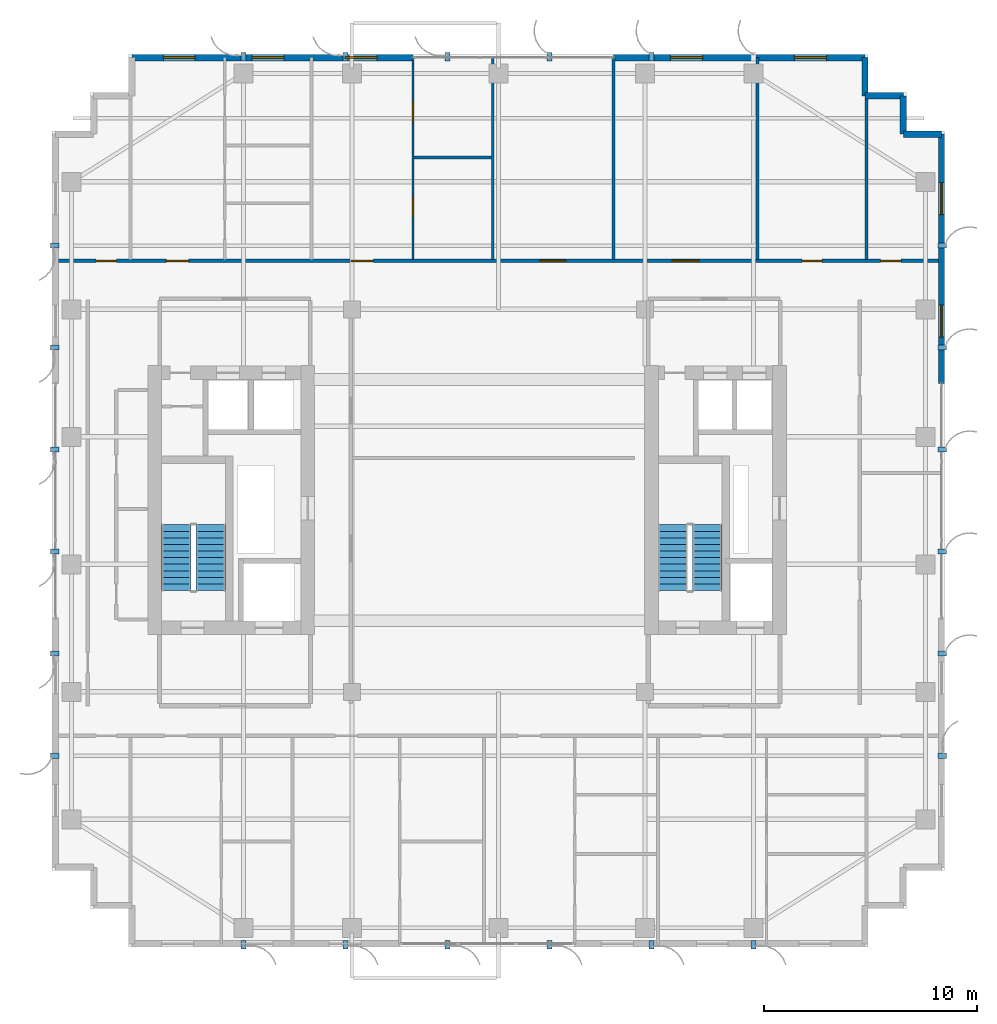
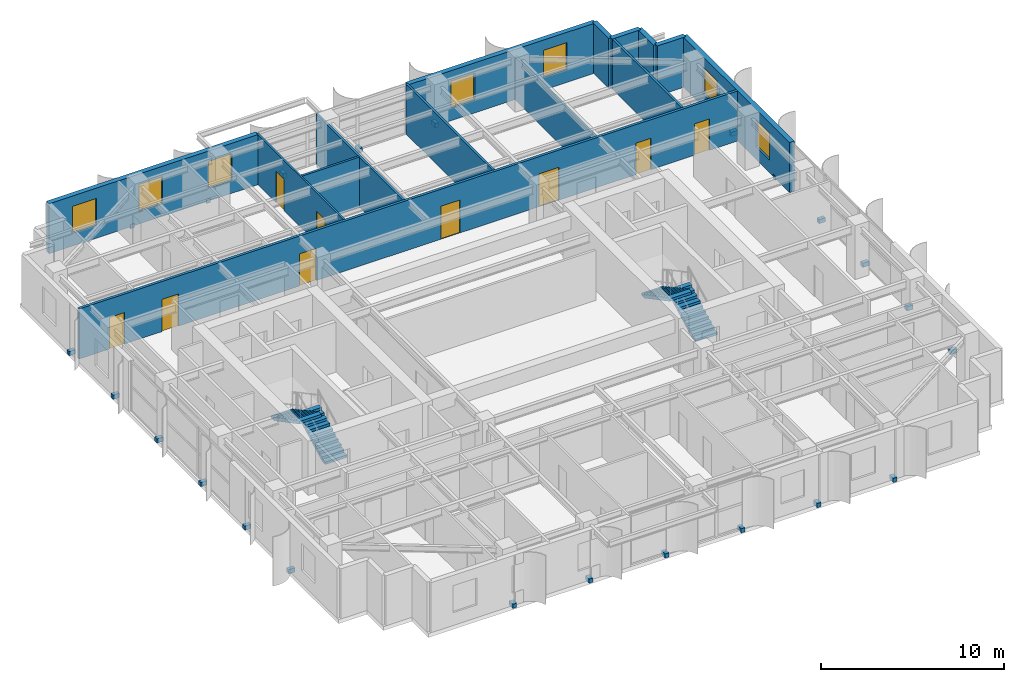
# One storey, part 17 of 21: 23 discrete accessories, 14 walls, 9 doors, 7 windows, 4 stair flights, 16 openings, 2 elements without a shape of their own.
"""IFC4 building model written with IfcOpenShell, lengths in metres."""

from ifc_helpers import new_model, si_unit, direction, frame, frame_2d, origin, origin_2d, place, context, subcontext, project, spatial, polyline, rectangle, outline, extrude, source, transform, mapped, material, layer, layer_set, type_object, element, fill, aggregate, save


model = new_model("IFC4")

# Units and contexts
model_context = context("Model", 3, precision=1e-05, world=origin(), true_north=direction((0.0, 1.0)))
body_context = subcontext(model_context, "Body", "Model", "MODEL_VIEW")
ifc_project = project(units=[si_unit("LENGTHUNIT", "METRE"), si_unit("AREAUNIT", "SQUARE_METRE"), si_unit("VOLUMEUNIT", "CUBIC_METRE"), si_unit("PLANEANGLEUNIT", "RADIAN"), si_unit("MASSUNIT", "GRAM", prefix="KILO")], contexts=[model_context])

# Site, building, storey
site_placement = place(None, origin())
site = spatial("IfcSite", under=ifc_project, at=site_placement, CompositionType="ELEMENT")
building_placement = place(site_placement, origin())
building = spatial("IfcBuilding", under=site, at=building_placement, Name="Khoralis Quay Care Tower", CompositionType="ELEMENT")
storey_placement = place(building_placement, frame((0.0, 0.0, 159.300048828125)))
storey = spatial("IfcBuildingStorey", under=building, at=storey_placement, Name="L41", CompositionType="ELEMENT", Elevation=159.300048828125)

# Wall, openings, doors
ifc_material_1 = material(Name="Gypsum plasterboard on acoustic metal stud")
ifc_layer_1 = layer(ifc_material_1, 0.1650390625)
ifc_layer_set_1 = layer_set([ifc_layer_1], Name="Gypsum plasterboard on acoustic metal stud")
wall_type_1 = type_object("IfcWallType", Name="WL-CORR-165", PredefinedType="PARTITIONING", material=ifc_layer_set_1)
wall_1_placement = place(storey_placement, frame((3.14501953125, 32.280029296875, 0.0), z_axis=(0.0, 0.0, 1.0), x_axis=(1.0, 0.0, 0.0)))
wall_1 = element("IfcWall", 1, at=wall_1_placement, inside=storey, type_object=wall_type_1, Name="L41 North Main Corridor Wall", PredefinedType="PARTITIONING", context=body_context, shape_type="SweptSolid", body=[
    extrude(rectangle(XDim=41.7099609375, YDim=0.1650390625, at=frame_2d((20.85498046875, 0.0))), origin(), (0.0, 0.0, 1.0), 3.33984375),
])
opening_1_placement = place(wall_1_placement, frame((5.22509765625, 0.0, 0.0)))
opening_1 = element("IfcOpeningElement", 2, at=opening_1_placement, cuts=wall_1, Name="Opening UD1", PredefinedType="OPENING", context=body_context, shape_type="SweptSolid", body=[
    extrude(rectangle(XDim=1.050048828125, YDim=2.14990234375, at=frame_2d((0.52490234375, 1.074951171875))), frame((0.0, 0.092529296875, 0.0), z_axis=(0.0, -1.0, 0.0), x_axis=(1.0, 0.0, 0.0)), (0.0, 0.0, 1.0), 0.18505859375),
])
opening_2_placement = place(wall_1_placement, frame((13.91845703125, 0.0, 0.0)))
opening_2 = element("IfcOpeningElement", 3, at=opening_2_placement, cuts=wall_1, Name="Opening UD1", PredefinedType="OPENING", context=body_context, shape_type="SweptSolid", body=[
    extrude(rectangle(XDim=1.050048828125, YDim=2.14990234375, at=frame_2d((0.52490234375, 1.074951171875))), frame((0.0, 0.092529296875, 0.0), z_axis=(0.0, -1.0, 0.0), x_axis=(1.0, 0.0, 0.0)), (0.0, 0.0, 1.0), 0.18505859375),
])
opening_3_placement = place(wall_1_placement, frame((22.824951171875, 0.0, 0.0)))
opening_3 = element("IfcOpeningElement", 4, at=opening_3_placement, cuts=wall_1, Name="Opening FD1", PredefinedType="OPENING", context=body_context, shape_type="SweptSolid", body=[
    extrude(rectangle(XDim=1.199951171875, YDim=2.199951171875, at=frame_2d((0.60009765625, 1.10009765625))), frame((0.0, 0.092529296875, 0.0), z_axis=(0.0, -1.0, 0.0), x_axis=(1.0, 0.0, 0.0)), (0.0, 0.0, 1.0), 0.18505859375),
])
opening_4_placement = place(wall_1_placement, frame((29.034912109375, 0.0, 0.0)))
opening_4 = element("IfcOpeningElement", 5, at=opening_4_placement, cuts=wall_1, Name="Opening CD1", PredefinedType="OPENING", context=body_context, shape_type="SweptSolid", body=[
    extrude(rectangle(XDim=1.25, YDim=2.199951171875, at=frame_2d((0.625, 1.10009765625))), frame((0.0, 0.092529296875, 0.0), z_axis=(0.0, -1.0, 0.0), x_axis=(1.0, 0.0, 0.0)), (0.0, 0.0, 1.0), 0.18505859375),
])
opening_5_placement = place(wall_1_placement, frame((35.139892578125, 0.0, 0.0)))
opening_5 = element("IfcOpeningElement", 6, at=opening_5_placement, cuts=wall_1, Name="Opening ID1", PredefinedType="OPENING", context=body_context, shape_type="SweptSolid", body=[
    extrude(rectangle(XDim=0.949951171875, YDim=2.10009765625, at=frame_2d((0.47509765625, 1.050048828125))), frame((0.0, 0.092529296875, 0.0), z_axis=(0.0, -1.0, 0.0), x_axis=(1.0, 0.0, 0.0)), (0.0, 0.0, 1.0), 0.18505859375),
])
opening_6_placement = place(wall_1_placement, frame((1.919921875, 0.0, 0.0)))
opening_6 = element("IfcOpeningElement", 7, at=opening_6_placement, cuts=wall_1, Name="Opening ID1", PredefinedType="OPENING", context=body_context, shape_type="SweptSolid", body=[
    extrude(rectangle(XDim=0.949951171875, YDim=2.10009765625, at=frame_2d((0.47509765625, 1.050048828125))), frame((0.0, 0.092529296875, 0.0), z_axis=(0.0, -1.0, 0.0), x_axis=(1.0, 0.0, 0.0)), (0.0, 0.0, 1.0), 0.18505859375),
])
opening_7_placement = place(wall_1_placement, frame((38.840087890625, 0.0, 0.0)))
opening_7 = element("IfcOpeningElement", 8, at=opening_7_placement, cuts=wall_1, Name="Opening ID1", PredefinedType="OPENING", context=body_context, shape_type="SweptSolid", body=[
    extrude(rectangle(XDim=0.949951171875, YDim=2.10009765625, at=frame_2d((0.47509765625, 1.050048828125))), frame((0.0, 0.092529296875, 0.0), z_axis=(0.0, -1.0, 0.0), x_axis=(1.0, 0.0, 0.0)), (0.0, 0.0, 1.0), 0.18505859375),
])
ifc_material_2 = material(Name="Fire-rated painted steel", Category="steel")
door_type_1 = type_object("IfcDoorType", Name="DR-FFL-1200X2200", OperationType="NOTDEFINED", PredefinedType="DOOR", material=ifc_material_2)
shared_shape_1 = source(origin(), body_context, "Body", "SweptSolid", [
    extrude(rectangle(XDim=1.199951171875, YDim=2.199951171875, at=frame_2d((0.60009765625, 1.10009765625))), frame((0.0, 0.02490234375, 0.0), z_axis=(0.0, -1.0, 0.0), x_axis=(1.0, 0.0, 0.0)), (0.0, 0.0, 1.0), 0.050048828125),
])
door_1_placement = place(opening_3_placement, origin())
door_1 = element("IfcDoor", 9, at=door_1_placement, inside=storey, type_object=door_type_1, Name="L41 Assisted Communal Dining Room Door", OperationType="DOUBLE_DOOR_SINGLE_SWING", OverallHeight=2.199951171875, OverallWidth=1.199951171875, PredefinedType="DOOR", context=body_context, shape_type="MappedRepresentation", body=[
    mapped(shared_shape_1, transform((0.0, 0.0, 0.0), scale=1.0)),
])
fill(opening_3, door_1)
ifc_material_3 = material(Name="Acoustic hardwood timber", Category="wood")
door_type_2 = type_object("IfcDoorType", Name="DR-CARE-1250X2200", OperationType="NOTDEFINED", PredefinedType="DOOR", material=ifc_material_3)
shared_shape_2 = source(origin(), body_context, "Body", "SweptSolid", [
    extrude(rectangle(XDim=1.25, YDim=2.199951171875, at=frame_2d((0.625, 1.10009765625))), frame((0.0, 0.02490234375, 0.0), z_axis=(0.0, -1.0, 0.0), x_axis=(1.0, 0.0, 0.0)), (0.0, 0.0, 1.0), 0.050048828125),
])
door_2_placement = place(opening_4_placement, origin())
door_2 = element("IfcDoor", 10, at=door_2_placement, inside=storey, type_object=door_type_2, Name="L41 Geriatric Consultation Clinic Door", OperationType="SINGLE_SWING_RIGHT", OverallHeight=2.199951171875, OverallWidth=1.25, PredefinedType="DOOR", context=body_context, shape_type="MappedRepresentation", body=[
    mapped(shared_shape_2, transform((0.0, 0.0, 0.0), scale=1.0)),
])
fill(opening_4, door_2)
door_type_3 = type_object("IfcDoorType", Name="DR-ROOM-950X2100", OperationType="NOTDEFINED", PredefinedType="DOOR", material=ifc_material_3)
shared_shape_3 = source(origin(), body_context, "Body", "SweptSolid", [
    extrude(rectangle(XDim=0.949951171875, YDim=2.10009765625, at=frame_2d((0.47509765625, 1.050048828125))), frame((0.0, 0.02490234375, 0.0), z_axis=(0.0, -1.0, 0.0), x_axis=(1.0, 0.0, 0.0)), (0.0, 0.0, 1.0), 0.050048828125),
])
door_3_placement = place(opening_5_placement, origin())
door_3 = element("IfcDoor", 11, at=door_3_placement, inside=storey, type_object=door_type_3, Name="L41 Care Coordination Office Door", OperationType="SINGLE_SWING_RIGHT", OverallHeight=2.10009765625, OverallWidth=0.949951171875, PredefinedType="DOOR", context=body_context, shape_type="MappedRepresentation", body=[
    mapped(shared_shape_3, transform((0.0, 0.0, 0.0), scale=1.0)),
])
fill(opening_5, door_3)
door_4_placement = place(opening_6_placement, origin())
door_4 = element("IfcDoor", 12, at=door_4_placement, inside=storey, type_object=door_type_3, Name="L41 NW Corner Door", OperationType="SINGLE_SWING_RIGHT", OverallHeight=2.10009765625, OverallWidth=0.949951171875, PredefinedType="DOOR", context=body_context, shape_type="MappedRepresentation", body=[
    mapped(shared_shape_3, transform((0.0, 0.0, 0.0), scale=1.0)),
])
fill(opening_6, door_4)
door_5_placement = place(opening_7_placement, origin())
door_5 = element("IfcDoor", 13, at=door_5_placement, inside=storey, type_object=door_type_3, Name="L41 NE Corner Door", OperationType="SINGLE_SWING_LEFT", OverallHeight=2.10009765625, OverallWidth=0.949951171875, PredefinedType="DOOR", context=body_context, shape_type="MappedRepresentation", body=[
    mapped(shared_shape_3, transform((0.0, 0.0, 0.0), scale=1.0)),
])
fill(opening_7, door_5)
door_type_4 = type_object("IfcDoorType", Name="DR-SUITE-1050X2150", OperationType="NOTDEFINED", PredefinedType="DOOR", material=ifc_material_3)
shared_shape_4 = source(origin(), body_context, "Body", "SweptSolid", [
    extrude(rectangle(XDim=1.050048828125, YDim=2.14990234375, at=frame_2d((0.52490234375, 1.074951171875))), frame((0.0, 0.02490234375, 0.0), z_axis=(0.0, -1.0, 0.0), x_axis=(1.0, 0.0, 0.0)), (0.0, 0.0, 1.0), 0.050048828125),
])
door_6_placement = place(opening_1_placement, origin())
door_6 = element("IfcDoor", 14, at=door_6_placement, inside=storey, type_object=door_type_4, Name="L41 Apartment NB0 Entrance Door", OperationType="SINGLE_SWING_LEFT", OverallHeight=2.14990234375, OverallWidth=1.050048828125, PredefinedType="DOOR", context=body_context, shape_type="MappedRepresentation", body=[
    mapped(shared_shape_4, transform((0.0, 0.0, 0.0), scale=1.0)),
])
fill(opening_1, door_6)
door_7_placement = place(opening_2_placement, origin())
door_7 = element("IfcDoor", 15, at=door_7_placement, inside=storey, type_object=door_type_4, Name="L41 Studio NB1 Entrance", OperationType="SINGLE_SWING_RIGHT", OverallHeight=2.14990234375, OverallWidth=1.050048828125, PredefinedType="DOOR", context=body_context, shape_type="MappedRepresentation", body=[
    mapped(shared_shape_4, transform((0.0, 0.0, 0.0), scale=1.0)),
])
fill(opening_2, door_7)

# Wall, openings, windows
ifc_material_4 = material(Name="Precast concrete C45/55", Category="concrete")
ifc_layer_2 = layer(ifc_material_4, 0.300048828125)
ifc_layer_set_2 = layer_set([ifc_layer_2], Name="Precast concrete C45/55")
wall_type_2 = type_object("IfcWallType", Name="WL-EXT-REF-300", PredefinedType="SOLIDWALL", material=ifc_layer_set_2)
wall_2_placement = place(storey_placement, frame((44.85009765625, 26.52001953125, 0.0), z_axis=(0.0, 0.0, 1.0), x_axis=(0.0, 1.0, 0.0)))
wall_2 = element("IfcWall", 16, at=wall_2_placement, inside=storey, type_object=wall_type_2, Name="L41 External Facade Wall WL-EXT-L41-P1-E5B", PredefinedType="SOLIDWALL", context=body_context, shape_type="SweptSolid", body=[
    extrude(rectangle(XDim=11.72998046875, YDim=0.300048828125, at=frame_2d((5.864990234375, 0.0))), origin(), (0.0, 0.0, 1.0), 3.33984375),
])
opening_8_placement = place(wall_2_placement, frame((2.179931640625, 0.0, 0.85009765625)))
opening_8 = element("IfcOpeningElement", 17, at=opening_8_placement, cuts=wall_2, Name="Opening W3", PredefinedType="OPENING", context=body_context, shape_type="SweptSolid", body=[
    extrude(rectangle(XDim=1.5, YDim=1.800048828125, at=frame_2d((0.75, 0.89990234375))), frame((0.0, 0.16015625, 0.0), z_axis=(0.0, -1.0, 0.0), x_axis=(1.0, 0.0, 0.0)), (0.0, 0.0, 1.0), 0.320068359375),
])
opening_9_placement = place(wall_2_placement, frame((7.945068359375, 0.0, 0.85009765625)))
opening_9 = element("IfcOpeningElement", 18, at=opening_9_placement, cuts=wall_2, Name="Opening W3", PredefinedType="OPENING", context=body_context, shape_type="SweptSolid", body=[
    extrude(rectangle(XDim=1.5, YDim=1.800048828125, at=frame_2d((0.75, 0.89990234375))), frame((0.0, 0.16015625, 0.0), z_axis=(0.0, -1.0, 0.0), x_axis=(1.0, 0.0, 0.0)), (0.0, 0.0, 1.0), 0.320068359375),
])
ifc_material_5 = material(Name="Low-E solar-control double glazing", Category="glass")
window_type = type_object("IfcWindowType", Name="WN-CLIN-1500X1800", PartitioningType="SINGLE_PANEL", PredefinedType="WINDOW", material=ifc_material_5)
shared_shape_5 = source(origin(), body_context, "Body", "SweptSolid", [
    extrude(rectangle(XDim=1.5, YDim=1.800048828125, at=frame_2d((0.75, 0.89990234375))), frame((0.0, 0.030029296875, 0.0), z_axis=(0.0, -1.0, 0.0), x_axis=(1.0, 0.0, 0.0)), (0.0, 0.0, 1.0), 0.06005859375),
])
window_1_placement = place(opening_8_placement, origin())
window_1 = element("IfcWindow", 19, at=window_1_placement, inside=storey, type_object=window_type, Name="WN-L41-P1-E5B Facade Window 01", OverallHeight=1.800048828125, OverallWidth=1.5, PartitioningType="SINGLE_PANEL", PredefinedType="WINDOW", context=body_context, shape_type="MappedRepresentation", body=[
    mapped(shared_shape_5, transform((0.0, 0.0, 0.0), scale=1.0)),
])
fill(opening_8, window_1)
window_2_placement = place(opening_9_placement, origin())
window_2 = element("IfcWindow", 20, at=window_2_placement, inside=storey, type_object=window_type, Name="WN-L41-P1-E5B Facade Window 02", OverallHeight=1.800048828125, OverallWidth=1.5, PartitioningType="SINGLE_PANEL", PredefinedType="WINDOW", context=body_context, shape_type="MappedRepresentation", body=[
    mapped(shared_shape_5, transform((0.0, 0.0, 0.0), scale=1.0)),
])
fill(opening_9, window_2)

# Walls
for number, where, z_axis, x_axis, name in (
    (21, (44.85009765625, 38.25, 0.0), (0.0, 0.0, 1.0), (-1.0, 0.0, 0.0), "L41 External Facade Wall WL-EXT-L41-P1-C6"),
    (22, (43.050048828125, 38.25, 0.0), (0.0, 0.0, 1.0), (0.0, 1.0, 0.0), "L41 External Facade Wall WL-EXT-L41-P1-C7"),
    (23, (43.050048828125, 40.050048828125, 0.0), (0.0, 0.0, 1.0), (-1.0, 0.0, 0.0), "L41 External Facade Wall WL-EXT-L41-P1-C8"),
    (24, (41.25, 40.050048828125, 0.0), (0.0, 0.0, 1.0), (0.0, 1.0, 0.0), "L41 External Facade Wall WL-EXT-L41-P1-C9"),
):
    element("IfcWall", number, at=place(storey_placement, frame(where, z_axis=z_axis, x_axis=x_axis)), inside=storey, type_object=wall_type_2, Name=name, PredefinedType="SOLIDWALL", context=body_context, shape_type="SweptSolid", body=[
        extrude(rectangle(XDim=1.800048828125, YDim=0.300048828125, at=frame_2d((0.89990234375, 0.0))), origin(), (0.0, 0.0, 1.0), 3.33984375),
    ])

# Wall, openings, windows
wall_3_placement = place(storey_placement, frame((41.25, 41.85009765625, 0.0), z_axis=(0.0, 0.0, 1.0), x_axis=(-1.0, 0.0, 0.0)))
wall_3 = element("IfcWall", 25, at=wall_3_placement, inside=storey, type_object=wall_type_2, Name="L41 External Facade Wall WL-EXT-L41-P1-E10A", PredefinedType="SOLIDWALL", context=body_context, shape_type="SweptSolid", body=[
    extrude(rectangle(XDim=11.840087890625, YDim=0.300048828125, at=frame_2d((5.919921875, 0.0))), origin(), (0.0, 0.0, 1.0), 3.33984375),
])
opening_10_placement = place(wall_3_placement, frame((1.824951171875, 0.0, 0.85009765625)))
opening_10 = element("IfcOpeningElement", 26, at=opening_10_placement, cuts=wall_3, Name="Opening W3", PredefinedType="OPENING", context=body_context, shape_type="SweptSolid", body=[
    extrude(rectangle(XDim=1.5, YDim=1.800048828125, at=frame_2d((0.75, 0.89990234375))), frame((0.0, 0.16015625, 0.0), z_axis=(0.0, -1.0, 0.0), x_axis=(1.0, 0.0, 0.0)), (0.0, 0.0, 1.0), 0.320068359375),
])
opening_11_placement = place(wall_3_placement, frame((7.64501953125, 0.0, 0.85009765625)))
opening_11 = element("IfcOpeningElement", 27, at=opening_11_placement, cuts=wall_3, Name="Opening W3", PredefinedType="OPENING", context=body_context, shape_type="SweptSolid", body=[
    extrude(rectangle(XDim=1.5, YDim=1.800048828125, at=frame_2d((0.75, 0.89990234375))), frame((0.0, 0.16015625, 0.0), z_axis=(0.0, -1.0, 0.0), x_axis=(1.0, 0.0, 0.0)), (0.0, 0.0, 1.0), 0.320068359375),
])
window_3_placement = place(opening_10_placement, origin())
window_3 = element("IfcWindow", 28, at=window_3_placement, inside=storey, type_object=window_type, Name="WN-L41-P1-E10A Facade Window 01", OverallHeight=1.800048828125, OverallWidth=1.5, PartitioningType="SINGLE_PANEL", PredefinedType="WINDOW", context=body_context, shape_type="MappedRepresentation", body=[
    mapped(shared_shape_5, transform((0.0, 0.0, 0.0), scale=1.0)),
])
fill(opening_10, window_3)
window_4_placement = place(opening_11_placement, origin())
window_4 = element("IfcWindow", 29, at=window_4_placement, inside=storey, type_object=window_type, Name="WN-L41-P1-E10A Facade Window 02", OverallHeight=1.800048828125, OverallWidth=1.5, PartitioningType="SINGLE_PANEL", PredefinedType="WINDOW", context=body_context, shape_type="MappedRepresentation", body=[
    mapped(shared_shape_5, transform((0.0, 0.0, 0.0), scale=1.0)),
])
fill(opening_11, window_4)

wall_4_placement = place(storey_placement, frame((19.97705078125, 41.85009765625, 0.0), z_axis=(0.0, 0.0, 1.0), x_axis=(-1.0, 0.0, 0.0)))
wall_4 = element("IfcWall", 30, at=wall_4_placement, inside=storey, type_object=wall_type_2, Name="L41 External Facade Wall WL-EXT-L41-P1-E10B", PredefinedType="SOLIDWALL", context=body_context, shape_type="SweptSolid", body=[
    extrude(rectangle(XDim=13.22705078125, YDim=0.300048828125, at=frame_2d((6.613525390625, 0.0))), origin(), (0.0, 0.0, 1.0), 3.33984375),
])
opening_12_placement = place(wall_4_placement, frame((1.6884765625, 0.0, 0.85009765625)))
opening_12 = element("IfcOpeningElement", 31, at=opening_12_placement, cuts=wall_4, Name="Opening W3", PredefinedType="OPENING", context=body_context, shape_type="SweptSolid", body=[
    extrude(rectangle(XDim=1.5, YDim=1.800048828125, at=frame_2d((0.75, 0.89990234375))), frame((0.0, 0.16015625, 0.0), z_axis=(0.0, -1.0, 0.0), x_axis=(1.0, 0.0, 0.0)), (0.0, 0.0, 1.0), 0.320068359375),
])
opening_13_placement = place(wall_4_placement, frame((6.072021484375, 0.0, 0.85009765625)))
opening_13 = element("IfcOpeningElement", 32, at=opening_13_placement, cuts=wall_4, Name="Opening W3", PredefinedType="OPENING", context=body_context, shape_type="SweptSolid", body=[
    extrude(rectangle(XDim=1.5, YDim=1.800048828125, at=frame_2d((0.75, 0.89990234375))), frame((0.0, 0.16015625, 0.0), z_axis=(0.0, -1.0, 0.0), x_axis=(1.0, 0.0, 0.0)), (0.0, 0.0, 1.0), 0.320068359375),
])
opening_14_placement = place(wall_4_placement, frame((10.2470703125, 0.0, 0.85009765625)))
opening_14 = element("IfcOpeningElement", 33, at=opening_14_placement, cuts=wall_4, Name="Opening W3", PredefinedType="OPENING", context=body_context, shape_type="SweptSolid", body=[
    extrude(rectangle(XDim=1.5, YDim=1.800048828125, at=frame_2d((0.75, 0.89990234375))), frame((0.0, 0.16015625, 0.0), z_axis=(0.0, -1.0, 0.0), x_axis=(1.0, 0.0, 0.0)), (0.0, 0.0, 1.0), 0.320068359375),
])
window_5_placement = place(opening_12_placement, origin())
window_5 = element("IfcWindow", 34, at=window_5_placement, inside=storey, type_object=window_type, Name="WN-L41-P1-E10B Facade Window 01", OverallHeight=1.800048828125, OverallWidth=1.5, PartitioningType="SINGLE_PANEL", PredefinedType="WINDOW", context=body_context, shape_type="MappedRepresentation", body=[
    mapped(shared_shape_5, transform((0.0, 0.0, 0.0), scale=1.0)),
])
fill(opening_12, window_5)
window_6_placement = place(opening_13_placement, origin())
window_6 = element("IfcWindow", 35, at=window_6_placement, inside=storey, type_object=window_type, Name="WN-L41-P1-E10B Facade Window 02", OverallHeight=1.800048828125, OverallWidth=1.5, PartitioningType="SINGLE_PANEL", PredefinedType="WINDOW", context=body_context, shape_type="MappedRepresentation", body=[
    mapped(shared_shape_5, transform((0.0, 0.0, 0.0), scale=1.0)),
])
fill(opening_13, window_6)
window_7_placement = place(opening_14_placement, origin())
window_7 = element("IfcWindow", 36, at=window_7_placement, inside=storey, type_object=window_type, Name="WN-L41-P1-E10B Facade Window 03", OverallHeight=1.800048828125, OverallWidth=1.5, PartitioningType="SINGLE_PANEL", PredefinedType="WINDOW", context=body_context, shape_type="MappedRepresentation", body=[
    mapped(shared_shape_5, transform((0.0, 0.0, 0.0), scale=1.0)),
])
fill(opening_14, window_7)

# Wall, openings, doors
ifc_layer_3 = layer(ifc_material_1, 0.114990234375)
ifc_layer_set_3 = layer_set([ifc_layer_3], Name="Gypsum plasterboard on acoustic metal stud")
wall_type_3 = type_object("IfcWallType", Name="WL-PART-115", PredefinedType="PARTITIONING", material=ifc_layer_set_3)
wall_5_placement = place(storey_placement, frame((19.97705078125, 32.357421875, 0.0), z_axis=(0.0, 0.0, 1.0), x_axis=(0.0, 1.0, 0.0)))
wall_5 = element("IfcWall", 37, at=wall_5_placement, inside=storey, type_object=wall_type_3, Name="L41 Studio 1 Internal Wall", PredefinedType="PARTITIONING", context=body_context, shape_type="SweptSolid", body=[
    extrude(rectangle(XDim=9.49755859375, YDim=0.114990234375, at=frame_2d((4.748779296875, 0.0))), origin(), (0.0, 0.0, 1.0), 3.33984375),
])
opening_15_placement = place(wall_5_placement, frame((6.487548828125, 0.0, 0.0)))
opening_15 = element("IfcOpeningElement", 38, at=opening_15_placement, cuts=wall_5, Name="Opening WD1", PredefinedType="OPENING", context=body_context, shape_type="SweptSolid", body=[
    extrude(rectangle(XDim=0.89990234375, YDim=2.10009765625, at=frame_2d((0.449951171875, 1.050048828125))), frame((0.0, 0.0673828125, 0.0), z_axis=(0.0, -1.0, 0.0), x_axis=(1.0, 0.0, 0.0)), (0.0, 0.0, 1.0), 0.135009765625),
])
opening_16_placement = place(wall_5_placement, frame((2.017578125, 0.0, 0.0)))
opening_16 = element("IfcOpeningElement", 39, at=opening_16_placement, cuts=wall_5, Name="Opening WD1", PredefinedType="OPENING", context=body_context, shape_type="SweptSolid", body=[
    extrude(rectangle(XDim=0.89990234375, YDim=2.10009765625, at=frame_2d((0.449951171875, 1.050048828125))), frame((0.0, 0.0673828125, 0.0), z_axis=(0.0, -1.0, 0.0), x_axis=(1.0, 0.0, 0.0)), (0.0, 0.0, 1.0), 0.135009765625),
])
door_type_5 = type_object("IfcDoorType", Name="DR-BATH-900X2100", OperationType="NOTDEFINED", PredefinedType="DOOR", material=ifc_material_3)
shared_shape_6 = source(origin(), body_context, "Body", "SweptSolid", [
    extrude(rectangle(XDim=0.89990234375, YDim=2.10009765625, at=frame_2d((0.449951171875, 1.050048828125))), frame((0.0, 0.02490234375, 0.0), z_axis=(0.0, -1.0, 0.0), x_axis=(1.0, 0.0, 0.0)), (0.0, 0.0, 1.0), 0.050048828125),
])
door_8_placement = place(opening_15_placement, frame((0.89990234375, 0.0, 0.0), z_axis=(0.0, 0.0, 1.0), x_axis=(-1.0, 0.0, 0.0)))
door_8 = element("IfcDoor", 40, at=door_8_placement, inside=storey, type_object=door_type_5, Name="L41 Studio SKT Door", OperationType="SINGLE_SWING_LEFT", OverallHeight=2.10009765625, OverallWidth=0.89990234375, PredefinedType="DOOR", context=body_context, shape_type="MappedRepresentation", body=[
    mapped(shared_shape_6, transform((0.0, 0.0, 0.0), scale=1.0)),
])
fill(opening_15, door_8)
door_9_placement = place(opening_16_placement, frame((0.89990234375, 0.0, 0.0), z_axis=(0.0, 0.0, 1.0), x_axis=(-1.0, 0.0, 0.0)))
door_9 = element("IfcDoor", 41, at=door_9_placement, inside=storey, type_object=door_type_5, Name="L41 Studio SBH Door", OperationType="SINGLE_SWING_RIGHT", OverallHeight=2.10009765625, OverallWidth=0.89990234375, PredefinedType="DOOR", context=body_context, shape_type="MappedRepresentation", body=[
    mapped(shared_shape_6, transform((0.0, 0.0, 0.0), scale=1.0)),
])
fill(opening_16, door_9)

# Walls
ifc_material_6 = material(Name="Moisture-resistant gypsum and ceramic tile")
ifc_layer_4 = layer(ifc_material_6, 0.280029296875)
ifc_layer_set_4 = layer_set([ifc_layer_4], Name="Moisture-resistant gypsum and ceramic tile")
wall_type_4 = type_object("IfcWallType", Name="WL-PLUMB-280", PredefinedType="PLUMBINGWALL", material=ifc_layer_set_4)
wall_6_placement = place(storey_placement, frame((20.029541015625, 37.139892578125, 0.0), z_axis=(0.0, 0.0, 1.0), x_axis=(1.0, 0.0, 0.0)))
element("IfcWall", 42, at=wall_6_placement, inside=storey, type_object=wall_type_4, Name="L41 Studio 1 Wet Split", PredefinedType="PLUMBINGWALL", context=body_context, shape_type="SweptSolid", body=[
    extrude(rectangle(XDim=3.635498046875, YDim=0.139892578125, at=frame_2d((1.81787109375, 0.0))), origin(), (0.0, 0.0, 1.0), 3.33984375),
])
ifc_layer_5 = layer(ifc_material_1, 0.139892578125)
ifc_layer_set_5 = layer_set([ifc_layer_5], Name="Gypsum plasterboard on acoustic metal stud")
wall_type_5 = type_object("IfcWallType", Name="WL-UNIT-140", PredefinedType="PARTITIONING", material=ifc_layer_set_5)
for number, where, z_axis, x_axis, name in (
    (43, (23.72998046875, 32.357421875, 0.0), (0.0, 0.0, 1.0), (0.0, 1.0, 0.0), "L41 NB Demising Wall 2"),
    (44, (29.409912109375, 32.357421875, 0.0), (0.0, 0.0, 1.0), (0.0, 1.0, 0.0), "L41 NB Demising Wall 3"),
):
    element("IfcWall", number, at=place(storey_placement, frame(where, z_axis=z_axis, x_axis=x_axis)), inside=storey, type_object=wall_type_5, Name=name, PredefinedType="PARTITIONING", context=body_context, shape_type="SweptSolid", body=[
        extrude(rectangle(XDim=9.49755859375, YDim=0.139892578125, at=frame_2d((4.748779296875, 0.0))), origin(), (0.0, 0.0, 1.0), 3.33984375),
    ])
wall_7_placement = place(storey_placement, frame((36.199951171875, 32.357421875, 0.0), z_axis=(0.0, 0.0, 1.0), x_axis=(0.0, 1.0, 0.0)))
element("IfcWall", 45, at=wall_7_placement, inside=storey, type_object=wall_type_5, Name="L41 NB Demising Wall 4", PredefinedType="PARTITIONING", context=body_context, shape_type="SweptSolid", body=[
    extrude(rectangle(XDim=9.49755859375, YDim=0.139892578125, at=frame_2d((4.748779296875, 0.0))), origin(), (0.0, 0.0, 1.0), 2.876953125),
])
wall_8_placement = place(storey_placement, frame((41.320068359375, 32.357421875, 0.0), z_axis=(0.0, 0.0, 1.0), x_axis=(0.0, 1.0, 0.0)))
element("IfcWall", 46, at=wall_8_placement, inside=storey, type_object=wall_type_5, Name="L41 NB Demising Wall 5", PredefinedType="PARTITIONING", context=body_context, shape_type="SweptSolid", body=[
    extrude(rectangle(XDim=7.697509765625, YDim=0.139892578125, at=frame_2d((3.8486328125, 0.0))), origin(), (0.0, 0.0, 1.0), 3.33984375),
])

# Stair, stair flights
stair_type = type_object("IfcStairType", Name="ST-TWR-DOGLEG-1400", PredefinedType="HALF_TURN_STAIR", material=ifc_material_4)
stair_1_placement = place(storey_placement, origin())
stair_1 = element("IfcStair", 47, at=stair_1_placement, inside=storey, type_object=stair_type, Name="L41 West Core Exit Stair ST-T1", PredefinedType="HALF_TURN_STAIR")
stair_flight_type = type_object("IfcStairFlightType", Name="SF-TWR-1400", PredefinedType="STRAIGHT", material=ifc_material_4)
shared_shape_7 = source(origin(), body_context, "Body", "SweptSolid", [
    extrude(outline(polyline([(0.0, 0.0), (0.0, 0.16357421875), (0.31005859375, 0.16357421875), (0.31005859375, 0.327392578125), (0.6201171875, 0.327392578125), (0.6201171875, 0.490966796875), (0.929931640625, 0.490966796875), (0.929931640625, 0.654541015625), (1.239990234375, 0.654541015625), (1.239990234375, 0.818115234375), (1.550048828125, 0.818115234375), (1.550048828125, 0.98193359375), (1.860107421875, 0.98193359375), (1.860107421875, 1.1455078125), (2.169921875, 1.1455078125), (2.169921875, 1.30908203125), (2.47998046875, 1.30908203125), (2.47998046875, 1.47265625), (2.7900390625, 1.47265625), (2.7900390625, 1.636474609375), (3.10009765625, 1.636474609375), (3.10009765625, 1.800048828125), (3.10009765625, 1.466796875), (0.321044921875, 0.0), (0.0, 0.0)])), frame((0.0, 0.68994140625, 0.0), z_axis=(0.0, -1.0, 0.0), x_axis=(1.0, 0.0, 0.0)), (0.0, 0.0, 1.0), 1.3798828125),
])
stair_flight_1_placement = place(storey_placement, frame((10.4599609375, 16.77001953125, 0.0), z_axis=(0.0, 0.0, 1.0), x_axis=(0.0, 1.0, 0.0)))
stair_flight_1 = element("IfcStairFlight", 48, at=stair_flight_1_placement, type_object=stair_flight_type, Name="ST-T1 flight 1", NumberOfRisers=11, NumberOfTreads=10, PredefinedType="STRAIGHT", RiserHeight=0.163636364, TreadLength=0.31, context=body_context, shape_type="MappedRepresentation", body=[
    mapped(shared_shape_7, transform((0.0, 0.0, 0.0), scale=1.0)),
])
stair_flight_2_placement = place(storey_placement, frame((8.840087890625, 19.8701171875, 1.800048828125), z_axis=(0.0, 0.0, 1.0), x_axis=(0.0, -1.0, 0.0)))
stair_flight_2 = element("IfcStairFlight", 49, at=stair_flight_2_placement, type_object=stair_flight_type, Name="ST-T1 flight 2", NumberOfRisers=11, NumberOfTreads=10, PredefinedType="STRAIGHT", RiserHeight=0.163636364, TreadLength=0.31, context=body_context, shape_type="MappedRepresentation", body=[
    mapped(shared_shape_7, transform((0.0, 0.0, 0.0), scale=1.0)),
])
aggregate(stair_1, [stair_flight_1, stair_flight_2])

stair_2_placement = place(storey_placement, origin())
stair_2 = element("IfcStair", 50, at=stair_2_placement, inside=storey, type_object=stair_type, Name="L41 East Core Exit Stair ST-T2", PredefinedType="HALF_TURN_STAIR")
stair_flight_3_placement = place(storey_placement, frame((33.830078125, 16.77001953125, 0.0), z_axis=(0.0, 0.0, 1.0), x_axis=(0.0, 1.0, 0.0)))
stair_flight_3 = element("IfcStairFlight", 51, at=stair_flight_3_placement, type_object=stair_flight_type, Name="ST-T2 flight 1", NumberOfRisers=11, NumberOfTreads=10, PredefinedType="STRAIGHT", RiserHeight=0.163636364, TreadLength=0.31, context=body_context, shape_type="MappedRepresentation", body=[
    mapped(shared_shape_7, transform((0.0, 0.0, 0.0), scale=1.0)),
])
stair_flight_4_placement = place(storey_placement, frame((32.2099609375, 19.8701171875, 1.800048828125), z_axis=(0.0, 0.0, 1.0), x_axis=(0.0, -1.0, 0.0)))
stair_flight_4 = element("IfcStairFlight", 52, at=stair_flight_4_placement, type_object=stair_flight_type, Name="ST-T2 flight 2", NumberOfRisers=11, NumberOfTreads=10, PredefinedType="STRAIGHT", RiserHeight=0.163636364, TreadLength=0.31, context=body_context, shape_type="MappedRepresentation", body=[
    mapped(shared_shape_7, transform((0.0, 0.0, 0.0), scale=1.0)),
])
aggregate(stair_2, [stair_flight_3, stair_flight_4])

# Discrete accessories
ifc_material_7 = material(Name="Brushed stainless steel", Category="steel")
discrete_accessory_type = type_object("IfcDiscreteAccessoryType", Name="ACC-FIN-BRACKET", PredefinedType="BRACKET", material=ifc_material_7)
shared_shape_8 = source(origin(), body_context, "Body", "SweptSolid", [
    extrude(rectangle(XDim=0.39990234375, YDim=0.239990234375, at=origin_2d()), origin(), (0.0, 0.0, 1.0), 0.280029296875),
])
for number, where, z_axis, x_axis, name in (
    (53, (12.0, 0.110107421875, -0.1201171875), (0.0, 0.0, 1.0), (0.0, -1.0, 0.0), "L41 Solar Fin Bracket P1E0-01"),
    (54, (16.800048828125, 0.110107421875, -0.1201171875), (0.0, 0.0, 1.0), (0.0, -1.0, 0.0), "L41 Solar Fin Bracket P1E0-02"),
    (55, (21.60009765625, 0.110107421875, -0.1201171875), (0.0, 0.0, 1.0), (0.0, -1.0, 0.0), "L41 Solar Fin Bracket P1E0-03"),
    (56, (26.39990234375, 0.110107421875, -0.1201171875), (0.0, 0.0, 1.0), (0.0, -1.0, 0.0), "L41 Solar Fin Bracket P1E0-04"),
    (57, (31.199951171875, 0.110107421875, -0.1201171875), (0.0, 0.0, 1.0), (0.0, -1.0, 0.0), "L41 Solar Fin Bracket P1E0-05"),
    (58, (36.0, 0.110107421875, -0.1201171875), (0.0, 0.0, 1.0), (0.0, -1.0, 0.0), "L41 Solar Fin Bracket P1E0-06"),
    (59, (44.889892578125, 9.0, -0.1201171875), (0.0, 0.0, 1.0), (1.0, 0.0, 0.0), "L41 Solar Fin Bracket P1E5-01"),
    (60, (44.889892578125, 13.800048828125, -0.1201171875), (0.0, 0.0, 1.0), (1.0, 0.0, 0.0), "L41 Solar Fin Bracket P1E5-02"),
    (61, (44.889892578125, 18.60009765625, -0.1201171875), (0.0, 0.0, 1.0), (1.0, 0.0, 0.0), "L41 Solar Fin Bracket P1E5-03"),
    (62, (44.889892578125, 23.39990234375, -0.1201171875), (0.0, 0.0, 1.0), (1.0, 0.0, 0.0), "L41 Solar Fin Bracket P1E5-04"),
    (63, (44.889892578125, 28.199951171875, -0.1201171875), (0.0, 0.0, 1.0), (1.0, 0.0, 0.0), "L41 Solar Fin Bracket P1E5-05"),
    (64, (44.889892578125, 33.0, -0.1201171875), (0.0, 0.0, 1.0), (1.0, 0.0, 0.0), "L41 Solar Fin Bracket P1E5-06"),
    (65, (31.199951171875, 41.889892578125, -0.1201171875), (0.0, 0.0, 1.0), (0.0, 1.0, 0.0), "L41 Solar Fin Bracket P1E10-02"),
    (66, (26.39990234375, 41.889892578125, -0.1201171875), (0.0, 0.0, 1.0), (0.0, 1.0, 0.0), "L41 Solar Fin Bracket P1E10-03"),
    (67, (21.60009765625, 41.889892578125, -0.1201171875), (0.0, 0.0, 1.0), (0.0, 1.0, 0.0), "L41 Solar Fin Bracket P1E10-04"),
    (68, (16.800048828125, 41.889892578125, -0.1201171875), (0.0, 0.0, 1.0), (0.0, 1.0, 0.0), "L41 Solar Fin Bracket P1E10-05"),
    (69, (12.0, 41.889892578125, -0.1201171875), (0.0, 0.0, 1.0), (0.0, 1.0, 0.0), "L41 Solar Fin Bracket P1E10-06"),
    (70, (3.110107421875, 33.0, -0.1201171875), (0.0, 0.0, 1.0), (-1.0, 0.0, 0.0), "L41 Solar Fin Bracket P1E15-01"),
    (71, (3.110107421875, 28.199951171875, -0.1201171875), (0.0, 0.0, 1.0), (-1.0, 0.0, 0.0), "L41 Solar Fin Bracket P1E15-02"),
    (72, (3.110107421875, 23.39990234375, -0.1201171875), (0.0, 0.0, 1.0), (-1.0, 0.0, 0.0), "L41 Solar Fin Bracket P1E15-03"),
    (73, (3.110107421875, 18.60009765625, -0.1201171875), (0.0, 0.0, 1.0), (-1.0, 0.0, 0.0), "L41 Solar Fin Bracket P1E15-04"),
    (74, (3.110107421875, 13.800048828125, -0.1201171875), (0.0, 0.0, 1.0), (-1.0, 0.0, 0.0), "L41 Solar Fin Bracket P1E15-05"),
    (75, (3.110107421875, 9.0, -0.1201171875), (0.0, 0.0, 1.0), (-1.0, 0.0, 0.0), "L41 Solar Fin Bracket P1E15-06"),
):
    element("IfcDiscreteAccessory", number, at=place(storey_placement, frame(where, z_axis=z_axis, x_axis=x_axis)), inside=storey, type_object=discrete_accessory_type, Name=name, PredefinedType="BRACKET", context=body_context, shape_type="MappedRepresentation", body=[
        mapped(shared_shape_8, transform((0.0, 0.0, 0.0), scale=1.0)),
    ])

save(model, "model.ifc")
